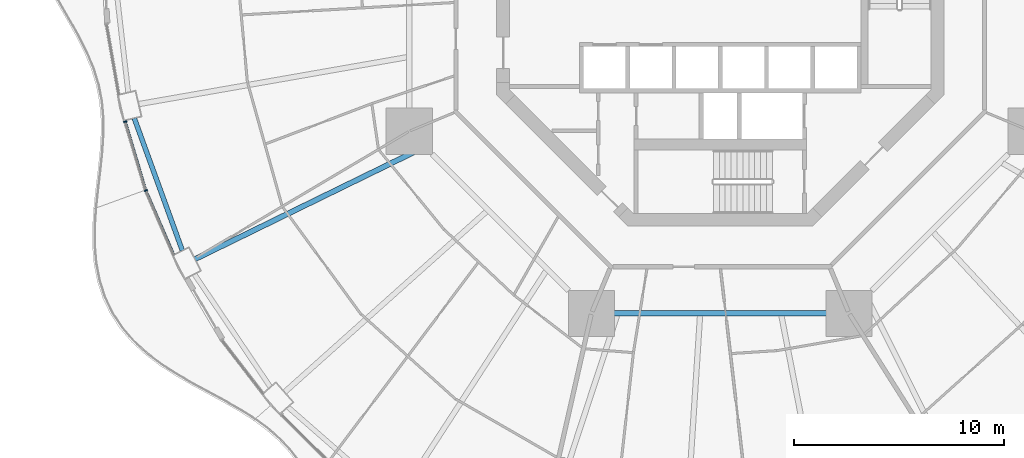
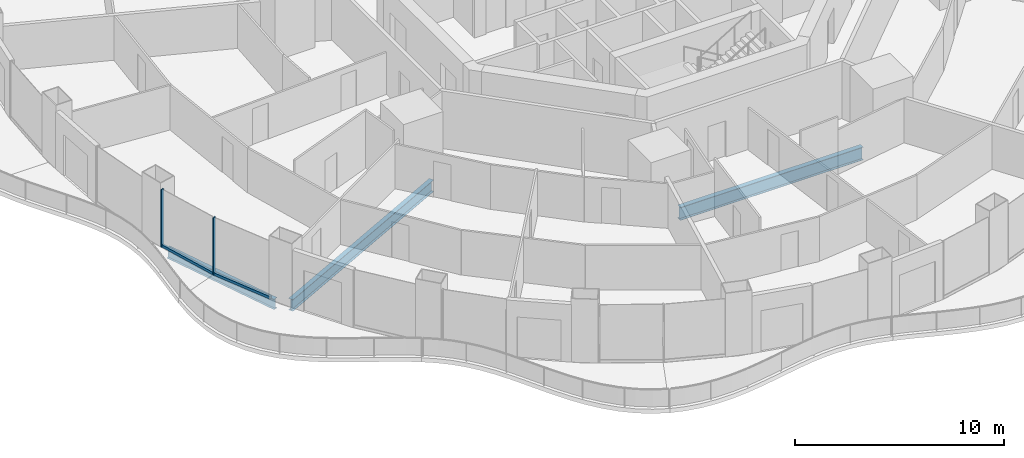
# One storey, part 3 of 23: 4 members, 3 beams, 2 elements without a shape of their own.
"""IFC4 building model written with IfcOpenShell, lengths in metres."""

from ifc_helpers import new_model, si_unit, direction, frame, origin, origin_2d, place, context, subcontext, project, spatial, rectangle, i_section, extrude, material, layer, layer_set, material_profile, profile_set, type_object, element, aggregate, save


model = new_model("IFC4")

# Units and contexts
model_context = context("Model", 3, precision=1e-05, world=origin(), true_north=direction((0.0, 1.0)))
body_context = subcontext(model_context, "Body", "Model", "MODEL_VIEW")
ifc_project = project(units=[si_unit("LENGTHUNIT", "METRE"), si_unit("AREAUNIT", "SQUARE_METRE"), si_unit("VOLUMEUNIT", "CUBIC_METRE"), si_unit("PLANEANGLEUNIT", "RADIAN"), si_unit("MASSUNIT", "GRAM", prefix="KILO")], contexts=[model_context])

# Site, building, storey
site_placement = place(None, origin())
site = spatial("IfcSite", under=ifc_project, at=site_placement, CompositionType="ELEMENT")
building_placement = place(site_placement, origin())
building = spatial("IfcBuilding", under=site, at=building_placement, Name="Nagisa Residences", CompositionType="ELEMENT")
storey_placement = place(building_placement, frame((0.0, 0.0, 110.300048828125)))
storey = spatial("IfcBuildingStorey", under=building, at=storey_placement, Name="L27", CompositionType="ELEMENT", Elevation=110.300048828125)

# Curtain wall, member
ifc_material_1 = material(Name="Concrete-coloured aluminium curtain wall system", Category="concrete")
ifc_layer = layer(ifc_material_1, 0.159912109375)
ifc_layer_set = layer_set([ifc_layer], Name="CW1 CURTAIN WALL")
curtain_wall_type = type_object("IfcCurtainWallType", Name="CW1 CURTAIN WALL", PredefinedType="NOTDEFINED", material=ifc_layer_set)
curtain_wall_1_placement = place(storey_placement, origin())
curtain_wall_1 = element("IfcCurtainWall", 1, at=curtain_wall_1_placement, inside=storey, type_object=curtain_wall_type, Name="cw:CW1:L27:26", PredefinedType="NOTDEFINED")
ifc_material_2 = material(Name="Concrete-coloured aluminium", Category="concrete")
ifc_material_profile_1 = material_profile(ifc_material_2, rectangle(XDim=0.159912109375, YDim=0.06005859375, at=origin_2d()), Name="CW1 MULLION 160x60")
ifc_profile_set_1 = profile_set([ifc_material_profile_1], Name="Concrete-coloured aluminium")
member_type_1 = type_object("IfcMemberType", Name="CW1 MULLION 160x60", PredefinedType="MULLION", material=ifc_profile_set_1)
member_1_placement = place(storey_placement, frame((-28.2802734375, -5.667724609375, 0.0), z_axis=(0.0, 0.0, 1.0), x_axis=(0.958271310082, 0.285860274038, 0.0)))
member_1 = element("IfcMember", 2, at=member_1_placement, type_object=member_type_1, Name="CW1 mullion", PredefinedType="MULLION", context=body_context, shape_type="SweptSolid", body=[
    extrude(rectangle(XDim=0.159912109375, YDim=0.06005859375, at=origin_2d()), origin(), (0.0, 0.0, 1.0), 3.349853515625),
])

curtain_wall_2_placement = place(storey_placement, origin())
curtain_wall_2 = element("IfcCurtainWall", 3, at=curtain_wall_2_placement, inside=storey, type_object=curtain_wall_type, Name="cw:CW1:L27:27", PredefinedType="NOTDEFINED")
member_2_placement = place(storey_placement, frame((-27.301513671875, -8.938232421875, 0.0), z_axis=(0.0, 0.0, 1.0), x_axis=(0.917543276295, 0.397635934147, 0.0)))
member_2 = element("IfcMember", 4, at=member_2_placement, type_object=member_type_1, Name="CW1 mullion", PredefinedType="MULLION", context=body_context, shape_type="SweptSolid", body=[
    extrude(rectangle(XDim=0.159912109375, YDim=0.06005859375, at=origin_2d()), origin(), (0.0, 0.0, 1.0), 3.349853515625),
])

# Member
ifc_material_3 = material(Name="Concrete-coloured aluminium", Category="concrete")
ifc_material_profile_2 = material_profile(ifc_material_3, rectangle(XDim=0.1201171875, YDim=0.14990234375, at=origin_2d()), Name="CW1 TRANSOM 120x150")
ifc_profile_set_2 = profile_set([ifc_material_profile_2], Name="Concrete-coloured aluminium")
member_type_2 = type_object("IfcMemberType", Name="CW1 TRANSOM 120x150", PredefinedType="USERDEFINED", material=ifc_profile_set_2)
member_3_placement = place(storey_placement, frame((-28.288818359375, -5.638916015625, 0.074951171875), z_axis=(0.285816610469, -0.958284334203, 0.0), x_axis=(0.958284334203, 0.285816610469, 0.0)))
member_3 = element("IfcMember", 5, at=member_3_placement, type_object=member_type_2, Name="CW1 transom", ObjectType="TRANSOM", PredefinedType="USERDEFINED", context=body_context, shape_type="SweptSolid", body=[
    extrude(rectangle(XDim=0.1201171875, YDim=0.14990234375, at=origin_2d()), origin(), (0.0, 0.0, 1.0), 3.423583984375),
])

aggregate(curtain_wall_1, [member_1, member_3])

member_4_placement = place(storey_placement, frame((-27.3134765625, -8.91064453125, 0.074951171875), z_axis=(0.397621629246, -0.917549475481, 0.0), x_axis=(0.917549475481, 0.397621629246, 0.0)))
member_4 = element("IfcMember", 6, at=member_4_placement, type_object=member_type_2, Name="CW1 transom", ObjectType="TRANSOM", PredefinedType="USERDEFINED", context=body_context, shape_type="SweptSolid", body=[
    extrude(rectangle(XDim=0.1201171875, YDim=0.14990234375, at=origin_2d()), origin(), (0.0, 0.0, 1.0), 3.37939453125),
])

aggregate(curtain_wall_2, [member_2, member_4])

# Beams
ifc_material_4 = material(Name="Steel ASTM A572 Gr 50", Category="steel")
ifc_material_profile_3 = material_profile(ifc_material_4, i_section(OverallWidth=0.264892578125, OverallDepth=0.7529296875, WebThickness=0.01318359375, FlangeThickness=0.01708984375, at=origin_2d()), Name="W760x147")
ifc_profile_set_3 = profile_set([ifc_material_profile_3], Name="Steel ASTM A572 Gr 50")
beam_type_1 = type_object("IfcBeamType", Name="Inner ring beam W760x147", PredefinedType="BEAM", material=ifc_profile_set_3)
beam_1_placement = place(storey_placement, frame((-5.04296875, -14.781982421875, -0.636474609375), z_axis=(1.0, 0.0, 0.0), x_axis=(0.0, 1.0, 0.0)))
element("IfcBeam", 7, at=beam_1_placement, inside=storey, type_object=beam_type_1, Name="beam:L27:ib6", PredefinedType="BEAM", context=body_context, shape_type="SweptSolid", body=[
    extrude(i_section(OverallWidth=0.264892578125, OverallDepth=0.7529296875, WebThickness=0.01318359375, FlangeThickness=0.01708984375, at=origin_2d()), origin(), (0.0, 0.0, 1.0), 10.0859375),
])
ifc_material_5 = material(Name="Steel ASTM A572 Gr 50", Category="steel")
ifc_material_profile_4 = material_profile(ifc_material_5, i_section(OverallWidth=0.22802734375, OverallDepth=0.60302734375, WebThickness=0.010498046875, FlangeThickness=0.014892578125, at=origin_2d()), Name="W610x101")
ifc_profile_set_4 = profile_set([ifc_material_profile_4], Name="Steel ASTM A572 Gr 50")
beam_type_2 = type_object("IfcBeamType", Name="Perimeter ring beam W610x101", PredefinedType="BEAM", material=ifc_profile_set_4)
beam_2_placement = place(storey_placement, frame((-27.851806640625, -5.505859375, -0.5615234375), z_axis=(0.341365002286, -0.939930814057, 0.0), x_axis=(0.939930814057, 0.341365002286, 0.0)))
element("IfcBeam", 8, at=beam_2_placement, inside=storey, type_object=beam_type_2, Name="beam:L27:pb14", PredefinedType="BEAM", context=body_context, shape_type="SweptSolid", body=[
    extrude(i_section(OverallWidth=0.22802734375, OverallDepth=0.60302734375, WebThickness=0.010498046875, FlangeThickness=0.014892578125, at=origin_2d()), origin(), (0.0, 0.0, 1.0), 6.689208984375),
])
ifc_material_6 = material(Name="Steel ASTM A572 Gr 50", Category="steel")
ifc_material_profile_5 = material_profile(ifc_material_6, i_section(OverallWidth=0.2529296875, OverallDepth=0.677978515625, WebThickness=0.01171875, FlangeThickness=0.016357421875, at=origin_2d()), Name="W690x125")
ifc_profile_set_5 = profile_set([ifc_material_profile_5], Name="Steel ASTM A572 Gr 50")
beam_type_3 = type_object("IfcBeamType", Name="Radial beam W690x125", PredefinedType="BEAM", material=ifc_profile_set_5)
beam_3_placement = place(storey_placement, frame((-24.965087890625, -12.200927734375, -0.59912109375), z_axis=(0.898446773802, 0.439082446296, 0.0), x_axis=(-0.439082446296, 0.898446773802, 0.0)))
element("IfcBeam", 9, at=beam_3_placement, inside=storey, type_object=beam_type_3, Name="beam:L27:rb15", PredefinedType="BEAM", context=body_context, shape_type="SweptSolid", body=[
    extrude(i_section(OverallWidth=0.2529296875, OverallDepth=0.677978515625, WebThickness=0.01171875, FlangeThickness=0.016357421875, at=origin_2d()), origin(), (0.0, 0.0, 1.0), 12.037353515625),
])

save(model, "model.ifc")
